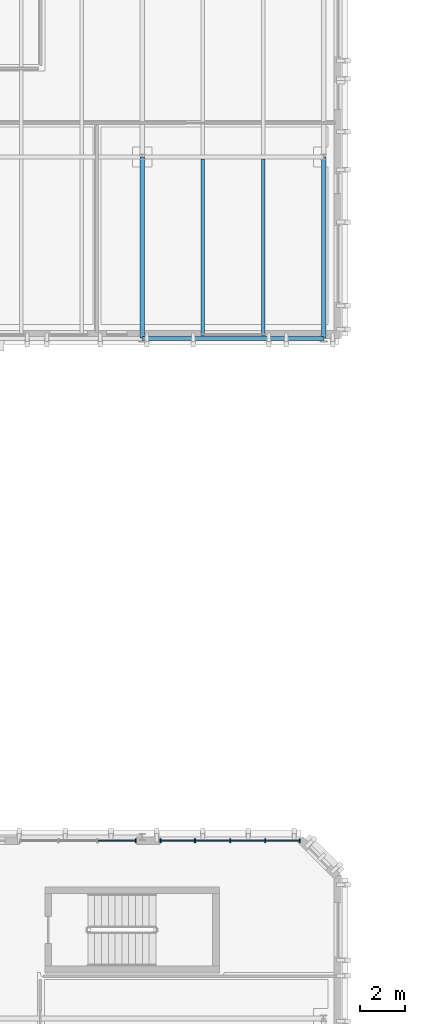
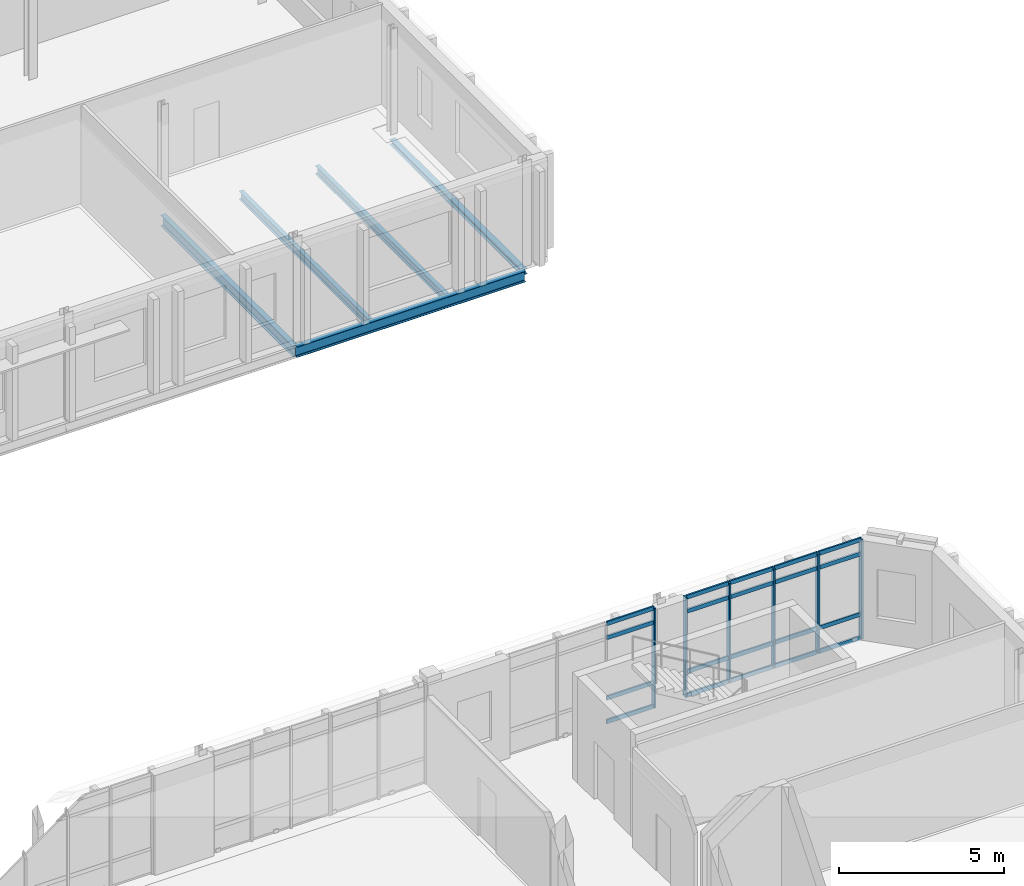
# One storey, part 13 of 40: 26 members, 5 beams, 2 elements without a shape of their own.
"""IFC4 building model written with IfcOpenShell, lengths in metres."""

from ifc_helpers import new_model, si_unit, direction, frame, origin, origin_2d, place, context, subcontext, project, spatial, rectangle, i_section, extrude, material, material_profile, profile_set, type_object, element, aggregate, save


model = new_model("IFC4")

# Units and contexts
model_context = context("Model", 3, precision=1e-05, world=origin(), true_north=direction((0.0, 1.0)))
body_context = subcontext(model_context, "Body", "Model", "MODEL_VIEW")
ifc_project = project(units=[si_unit("LENGTHUNIT", "METRE"), si_unit("AREAUNIT", "SQUARE_METRE"), si_unit("VOLUMEUNIT", "CUBIC_METRE"), si_unit("PLANEANGLEUNIT", "RADIAN"), si_unit("MASSUNIT", "GRAM", prefix="KILO")], contexts=[model_context])

# Site, building, storey
site_placement = place(None, origin())
site = spatial("IfcSite", under=ifc_project, at=site_placement, CompositionType="ELEMENT")
building_placement = place(site_placement, origin())
building = spatial("IfcBuilding", under=site, at=building_placement, Name="Cymarion Research Institute", CompositionType="ELEMENT")
storey_placement = place(building_placement, frame((0.0, 0.0, 26.699951171875)))
storey = spatial("IfcBuildingStorey", under=building, at=storey_placement, Name="L06", CompositionType="ELEMENT", Elevation=26.699951171875)

# Curtain wall, members
ifc_material_1 = material(Name="Anodised aluminium unitised curtain wall with Low-E glazing", Category="aluminium")
curtain_wall_type_1 = type_object("IfcCurtainWallType", Name="UNITISED CURTAIN WALL CW57 6200X3680", PredefinedType="NOTDEFINED", material=ifc_material_1)
curtain_wall_1_placement = place(storey_placement, origin())
curtain_wall_1 = element("IfcCurtainWall", 1, at=curtain_wall_1_placement, inside=storey, type_object=curtain_wall_type_1, Name="L06 V4 unitised curtain wall CW57 #217", PredefinedType="NOTDEFINED")
ifc_material_2 = material(Name="Anodised aluminium framing", Category="aluminium")
ifc_material_profile_1 = material_profile(ifc_material_2, rectangle(XDim=0.06005859375, YDim=0.179931640625, at=origin_2d()), Name="ALU MULLION 60x180")
ifc_profile_set_1 = profile_set([ifc_material_profile_1], Name="Anodised aluminium framing")
member_type_1 = type_object("IfcMemberType", Name="CURTAIN WALL MULLION ML01 60X180", PredefinedType="MULLION", material=ifc_profile_set_1)
member_1_placement = place(storey_placement, frame((45.547119140625, 71.330078125, 0.0), z_axis=(0.0, 0.0, 1.0), x_axis=(-1.0, 0.0, 0.0)))
member_1 = element("IfcMember", 2, at=member_1_placement, type_object=member_type_1, Name="CW57 mullion 1", PredefinedType="MULLION", context=body_context, shape_type="SweptSolid", body=[
    extrude(rectangle(XDim=0.06005859375, YDim=0.179931640625, at=origin_2d()), origin(), (0.0, 0.0, 1.0), 3.679931640625),
])
member_2_placement = place(storey_placement, frame((44.0283203125, 71.330078125, 0.0), z_axis=(0.0, 0.0, 1.0), x_axis=(-1.0, 0.0, 0.0)))
member_2 = element("IfcMember", 3, at=member_2_placement, type_object=member_type_1, Name="CW57 mullion 2", PredefinedType="MULLION", context=body_context, shape_type="SweptSolid", body=[
    extrude(rectangle(XDim=0.06005859375, YDim=0.179931640625, at=origin_2d()), origin(), (0.0, 0.0, 1.0), 3.679931640625),
])
member_3_placement = place(storey_placement, frame((42.4794921875, 71.330078125, 0.0), z_axis=(0.0, 0.0, 1.0), x_axis=(-1.0, 0.0, 0.0)))
member_3 = element("IfcMember", 4, at=member_3_placement, type_object=member_type_1, Name="CW57 mullion 3", PredefinedType="MULLION", context=body_context, shape_type="SweptSolid", body=[
    extrude(rectangle(XDim=0.06005859375, YDim=0.179931640625, at=origin_2d()), origin(), (0.0, 0.0, 1.0), 3.679931640625),
])
member_4_placement = place(storey_placement, frame((40.9306640625, 71.330078125, 0.0), z_axis=(0.0, 0.0, 1.0), x_axis=(-1.0, 0.0, 0.0)))
member_4 = element("IfcMember", 5, at=member_4_placement, type_object=member_type_1, Name="CW57 mullion 4", PredefinedType="MULLION", context=body_context, shape_type="SweptSolid", body=[
    extrude(rectangle(XDim=0.06005859375, YDim=0.179931640625, at=origin_2d()), origin(), (0.0, 0.0, 1.0), 3.679931640625),
])
member_5_placement = place(storey_placement, frame((39.41162109375, 71.330078125, 0.0), z_axis=(0.0, 0.0, 1.0), x_axis=(-1.0, 0.0, 0.0)))
member_5 = element("IfcMember", 6, at=member_5_placement, type_object=member_type_1, Name="CW57 mullion 5", PredefinedType="MULLION", context=body_context, shape_type="SweptSolid", body=[
    extrude(rectangle(XDim=0.06005859375, YDim=0.179931640625, at=origin_2d()), origin(), (0.0, 0.0, 1.0), 3.679931640625),
])

# Curtain wall, member
curtain_wall_type_2 = type_object("IfcCurtainWallType", Name="UNITISED CURTAIN WALL CW58 5150X3680", PredefinedType="NOTDEFINED", material=ifc_material_1)
curtain_wall_2_placement = place(storey_placement, origin())
curtain_wall_2 = element("IfcCurtainWall", 7, at=curtain_wall_2_placement, inside=storey, type_object=curtain_wall_type_2, Name="L06 V4 unitised curtain wall CW58 #218", PredefinedType="NOTDEFINED")
member_6_placement = place(storey_placement, frame((38.31005859375, 71.330078125, 0.0), z_axis=(0.0, 0.0, 1.0), x_axis=(-1.0, 0.0, 0.0)))
member_6 = element("IfcMember", 8, at=member_6_placement, type_object=member_type_1, Name="CW58 mullion 1", PredefinedType="MULLION", context=body_context, shape_type="SweptSolid", body=[
    extrude(rectangle(XDim=0.06005859375, YDim=0.179931640625, at=origin_2d()), origin(), (0.0, 0.0, 1.0), 3.679931640625),
])

# Member
ifc_material_profile_2 = material_profile(ifc_material_2, rectangle(XDim=0.06005859375, YDim=0.14990234375, at=origin_2d()), Name="ALU TRANSOM 60x150")
ifc_profile_set_2 = profile_set([ifc_material_profile_2], Name="Anodised aluminium framing")
member_type_2 = type_object("IfcMemberType", Name="CURTAIN WALL TRANSOM TR01 60X150", PredefinedType="USERDEFINED", material=ifc_profile_set_2)
member_7_placement = place(storey_placement, frame((45.51708984375, 71.330078125, 0.030029296875), z_axis=(-1.0, 0.0, 0.0), x_axis=(0.0, -1.0, 0.0)))
member_7 = element("IfcMember", 9, at=member_7_placement, type_object=member_type_2, Name="CW57 transom 1.1", ObjectType="TRANSOM", PredefinedType="USERDEFINED", context=body_context, shape_type="SweptSolid", body=[
    extrude(rectangle(XDim=0.06005859375, YDim=0.14990234375, at=origin_2d()), origin(), (0.0, 0.0, 1.0), 1.458740234375),
])

member_8_placement = place(storey_placement, frame((45.51708984375, 71.330078125, 0.900146484375), z_axis=(-1.0, 0.0, 0.0), x_axis=(0.0, -1.0, 0.0)))
member_8 = element("IfcMember", 10, at=member_8_placement, type_object=member_type_2, Name="CW57 transom 1.2", ObjectType="TRANSOM", PredefinedType="USERDEFINED", context=body_context, shape_type="SweptSolid", body=[
    extrude(rectangle(XDim=0.06005859375, YDim=0.14990234375, at=origin_2d()), origin(), (0.0, 0.0, 1.0), 1.458740234375),
])

member_9_placement = place(storey_placement, frame((45.51708984375, 71.330078125, 3.130126953125), z_axis=(-1.0, 0.0, 0.0), x_axis=(0.0, -1.0, 0.0)))
member_9 = element("IfcMember", 11, at=member_9_placement, type_object=member_type_2, Name="CW57 transom 1.3", ObjectType="TRANSOM", PredefinedType="USERDEFINED", context=body_context, shape_type="SweptSolid", body=[
    extrude(rectangle(XDim=0.06005859375, YDim=0.14990234375, at=origin_2d()), origin(), (0.0, 0.0, 1.0), 1.458740234375),
])

member_10_placement = place(storey_placement, frame((45.51708984375, 71.330078125, 3.650146484375), z_axis=(-1.0, 0.0, 0.0), x_axis=(0.0, -1.0, 0.0)))
member_10 = element("IfcMember", 12, at=member_10_placement, type_object=member_type_2, Name="CW57 transom 1.4", ObjectType="TRANSOM", PredefinedType="USERDEFINED", context=body_context, shape_type="SweptSolid", body=[
    extrude(rectangle(XDim=0.06005859375, YDim=0.14990234375, at=origin_2d()), origin(), (0.0, 0.0, 1.0), 1.458740234375),
])

member_11_placement = place(storey_placement, frame((43.998291015625, 71.330078125, 0.030029296875), z_axis=(-1.0, 0.0, 0.0), x_axis=(0.0, -1.0, 0.0)))
member_11 = element("IfcMember", 13, at=member_11_placement, type_object=member_type_2, Name="CW57 transom 2.1", ObjectType="TRANSOM", PredefinedType="USERDEFINED", context=body_context, shape_type="SweptSolid", body=[
    extrude(rectangle(XDim=0.06005859375, YDim=0.14990234375, at=origin_2d()), origin(), (0.0, 0.0, 1.0), 1.48876953125),
])

member_12_placement = place(storey_placement, frame((43.998291015625, 71.330078125, 0.900146484375), z_axis=(-1.0, 0.0, 0.0), x_axis=(0.0, -1.0, 0.0)))
member_12 = element("IfcMember", 14, at=member_12_placement, type_object=member_type_2, Name="CW57 transom 2.2", ObjectType="TRANSOM", PredefinedType="USERDEFINED", context=body_context, shape_type="SweptSolid", body=[
    extrude(rectangle(XDim=0.06005859375, YDim=0.14990234375, at=origin_2d()), origin(), (0.0, 0.0, 1.0), 1.48876953125),
])

member_13_placement = place(storey_placement, frame((43.998291015625, 71.330078125, 3.130126953125), z_axis=(-1.0, 0.0, 0.0), x_axis=(0.0, -1.0, 0.0)))
member_13 = element("IfcMember", 15, at=member_13_placement, type_object=member_type_2, Name="CW57 transom 2.3", ObjectType="TRANSOM", PredefinedType="USERDEFINED", context=body_context, shape_type="SweptSolid", body=[
    extrude(rectangle(XDim=0.06005859375, YDim=0.14990234375, at=origin_2d()), origin(), (0.0, 0.0, 1.0), 1.48876953125),
])

member_14_placement = place(storey_placement, frame((43.998291015625, 71.330078125, 3.650146484375), z_axis=(-1.0, 0.0, 0.0), x_axis=(0.0, -1.0, 0.0)))
member_14 = element("IfcMember", 16, at=member_14_placement, type_object=member_type_2, Name="CW57 transom 2.4", ObjectType="TRANSOM", PredefinedType="USERDEFINED", context=body_context, shape_type="SweptSolid", body=[
    extrude(rectangle(XDim=0.06005859375, YDim=0.14990234375, at=origin_2d()), origin(), (0.0, 0.0, 1.0), 1.48876953125),
])

member_15_placement = place(storey_placement, frame((42.449462890625, 71.330078125, 0.030029296875), z_axis=(-1.0, 0.0, 0.0), x_axis=(0.0, -1.0, 0.0)))
member_15 = element("IfcMember", 17, at=member_15_placement, type_object=member_type_2, Name="CW57 transom 3.1", ObjectType="TRANSOM", PredefinedType="USERDEFINED", context=body_context, shape_type="SweptSolid", body=[
    extrude(rectangle(XDim=0.06005859375, YDim=0.14990234375, at=origin_2d()), origin(), (0.0, 0.0, 1.0), 1.48876953125),
])

member_16_placement = place(storey_placement, frame((42.449462890625, 71.330078125, 0.900146484375), z_axis=(-1.0, 0.0, 0.0), x_axis=(0.0, -1.0, 0.0)))
member_16 = element("IfcMember", 18, at=member_16_placement, type_object=member_type_2, Name="CW57 transom 3.2", ObjectType="TRANSOM", PredefinedType="USERDEFINED", context=body_context, shape_type="SweptSolid", body=[
    extrude(rectangle(XDim=0.06005859375, YDim=0.14990234375, at=origin_2d()), origin(), (0.0, 0.0, 1.0), 1.48876953125),
])

member_17_placement = place(storey_placement, frame((42.449462890625, 71.330078125, 3.130126953125), z_axis=(-1.0, 0.0, 0.0), x_axis=(0.0, -1.0, 0.0)))
member_17 = element("IfcMember", 19, at=member_17_placement, type_object=member_type_2, Name="CW57 transom 3.3", ObjectType="TRANSOM", PredefinedType="USERDEFINED", context=body_context, shape_type="SweptSolid", body=[
    extrude(rectangle(XDim=0.06005859375, YDim=0.14990234375, at=origin_2d()), origin(), (0.0, 0.0, 1.0), 1.48876953125),
])

member_18_placement = place(storey_placement, frame((42.449462890625, 71.330078125, 3.650146484375), z_axis=(-1.0, 0.0, 0.0), x_axis=(0.0, -1.0, 0.0)))
member_18 = element("IfcMember", 20, at=member_18_placement, type_object=member_type_2, Name="CW57 transom 3.4", ObjectType="TRANSOM", PredefinedType="USERDEFINED", context=body_context, shape_type="SweptSolid", body=[
    extrude(rectangle(XDim=0.06005859375, YDim=0.14990234375, at=origin_2d()), origin(), (0.0, 0.0, 1.0), 1.48876953125),
])

member_19_placement = place(storey_placement, frame((40.900634765625, 71.330078125, 0.030029296875), z_axis=(-1.0, 0.0, 0.0), x_axis=(0.0, -1.0, 0.0)))
member_19 = element("IfcMember", 21, at=member_19_placement, type_object=member_type_2, Name="CW57 transom 4.1", ObjectType="TRANSOM", PredefinedType="USERDEFINED", context=body_context, shape_type="SweptSolid", body=[
    extrude(rectangle(XDim=0.06005859375, YDim=0.14990234375, at=origin_2d()), origin(), (0.0, 0.0, 1.0), 1.458984375),
])

member_20_placement = place(storey_placement, frame((40.900634765625, 71.330078125, 0.900146484375), z_axis=(-1.0, 0.0, 0.0), x_axis=(0.0, -1.0, 0.0)))
member_20 = element("IfcMember", 22, at=member_20_placement, type_object=member_type_2, Name="CW57 transom 4.2", ObjectType="TRANSOM", PredefinedType="USERDEFINED", context=body_context, shape_type="SweptSolid", body=[
    extrude(rectangle(XDim=0.06005859375, YDim=0.14990234375, at=origin_2d()), origin(), (0.0, 0.0, 1.0), 1.458984375),
])

member_21_placement = place(storey_placement, frame((40.900634765625, 71.330078125, 3.130126953125), z_axis=(-1.0, 0.0, 0.0), x_axis=(0.0, -1.0, 0.0)))
member_21 = element("IfcMember", 23, at=member_21_placement, type_object=member_type_2, Name="CW57 transom 4.3", ObjectType="TRANSOM", PredefinedType="USERDEFINED", context=body_context, shape_type="SweptSolid", body=[
    extrude(rectangle(XDim=0.06005859375, YDim=0.14990234375, at=origin_2d()), origin(), (0.0, 0.0, 1.0), 1.458984375),
])

member_22_placement = place(storey_placement, frame((40.900634765625, 71.330078125, 3.650146484375), z_axis=(-1.0, 0.0, 0.0), x_axis=(0.0, -1.0, 0.0)))
member_22 = element("IfcMember", 24, at=member_22_placement, type_object=member_type_2, Name="CW57 transom 4.4", ObjectType="TRANSOM", PredefinedType="USERDEFINED", context=body_context, shape_type="SweptSolid", body=[
    extrude(rectangle(XDim=0.06005859375, YDim=0.14990234375, at=origin_2d()), origin(), (0.0, 0.0, 1.0), 1.458984375),
])

aggregate(curtain_wall_1, [member_1, member_2, member_3, member_4, member_5, member_7, member_8, member_9, member_10, member_11, member_12, member_13, member_14, member_15, member_16, member_17, member_18, member_19, member_20, member_21, member_22])

member_23_placement = place(storey_placement, frame((38.280029296875, 71.330078125, 0.030029296875), z_axis=(-1.0, 0.0, 0.0), x_axis=(0.0, -1.0, 0.0)))
member_23 = element("IfcMember", 25, at=member_23_placement, type_object=member_type_2, Name="CW58 transom 1.1", ObjectType="TRANSOM", PredefinedType="USERDEFINED", context=body_context, shape_type="SweptSolid", body=[
    extrude(rectangle(XDim=0.06005859375, YDim=0.14990234375, at=origin_2d()), origin(), (0.0, 0.0, 1.0), 1.6279296875),
])

member_24_placement = place(storey_placement, frame((38.280029296875, 71.330078125, 0.900146484375), z_axis=(-1.0, 0.0, 0.0), x_axis=(0.0, -1.0, 0.0)))
member_24 = element("IfcMember", 26, at=member_24_placement, type_object=member_type_2, Name="CW58 transom 1.2", ObjectType="TRANSOM", PredefinedType="USERDEFINED", context=body_context, shape_type="SweptSolid", body=[
    extrude(rectangle(XDim=0.06005859375, YDim=0.14990234375, at=origin_2d()), origin(), (0.0, 0.0, 1.0), 1.6279296875),
])

member_25_placement = place(storey_placement, frame((38.280029296875, 71.330078125, 3.130126953125), z_axis=(-1.0, 0.0, 0.0), x_axis=(0.0, -1.0, 0.0)))
member_25 = element("IfcMember", 27, at=member_25_placement, type_object=member_type_2, Name="CW58 transom 1.3", ObjectType="TRANSOM", PredefinedType="USERDEFINED", context=body_context, shape_type="SweptSolid", body=[
    extrude(rectangle(XDim=0.06005859375, YDim=0.14990234375, at=origin_2d()), origin(), (0.0, 0.0, 1.0), 1.6279296875),
])

member_26_placement = place(storey_placement, frame((38.280029296875, 71.330078125, 3.650146484375), z_axis=(-1.0, 0.0, 0.0), x_axis=(0.0, -1.0, 0.0)))
member_26 = element("IfcMember", 28, at=member_26_placement, type_object=member_type_2, Name="CW58 transom 1.4", ObjectType="TRANSOM", PredefinedType="USERDEFINED", context=body_context, shape_type="SweptSolid", body=[
    extrude(rectangle(XDim=0.06005859375, YDim=0.14990234375, at=origin_2d()), origin(), (0.0, 0.0, 1.0), 1.6279296875),
])

aggregate(curtain_wall_2, [member_6, member_23, member_24, member_25, member_26])

# Beams
ifc_material_3 = material(Name="Steel S355", Category="steel")
ifc_material_profile_3 = material_profile(ifc_material_3, i_section(OverallWidth=0.179931640625, OverallDepth=0.39990234375, WebThickness=0.008544921875, FlangeThickness=0.013427734375, FilletRadius=0.02099609375, at=origin_2d()), Name="IPE 400")
ifc_profile_set_3 = profile_set([ifc_material_profile_3], Name="Steel S355")
beam_type_1 = type_object("IfcBeamType", Name="PRIMARY GIRDER BM05 IPE 400", PredefinedType="BEAM", material=ifc_profile_set_3)
beam_1_placement = place(storey_placement, frame((38.60595703125, 93.5, -0.419921875), z_axis=(1.0, 0.0, 0.0), x_axis=(0.0, 1.0, 0.0)))
element("IfcBeam", 29, at=beam_1_placement, inside=storey, type_object=beam_type_1, Name="L06 V5 girder BM05 #2140", PredefinedType="BEAM", context=body_context, shape_type="SweptSolid", body=[
    extrude(i_section(OverallWidth=0.179931640625, OverallDepth=0.39990234375, WebThickness=0.008544921875, FlangeThickness=0.013427734375, FilletRadius=0.02099609375, at=origin_2d()), origin(), (0.0, 0.0, 1.0), 7.988037109375),
])
beam_2_placement = place(storey_placement, frame((38.60009765625, 93.506103515625, -0.419921875), z_axis=(0.0, 1.0, 0.0), x_axis=(-1.0, 0.0, 0.0)))
element("IfcBeam", 30, at=beam_2_placement, inside=storey, type_object=beam_type_1, Name="L06 V5 girder BM05 #2164", PredefinedType="BEAM", context=body_context, shape_type="SweptSolid", body=[
    extrude(i_section(OverallWidth=0.179931640625, OverallDepth=0.39990234375, WebThickness=0.008544921875, FlangeThickness=0.013427734375, FilletRadius=0.02099609375, at=origin_2d()), origin(), (0.0, 0.0, 1.0), 7.98779296875),
])
ifc_material_profile_4 = material_profile(ifc_material_3, i_section(OverallWidth=0.14990234375, OverallDepth=0.300048828125, WebThickness=0.007080078125, FlangeThickness=0.0107421875, FilletRadius=0.014892578125, at=origin_2d()), Name="IPE 300")
ifc_profile_set_4 = profile_set([ifc_material_profile_4], Name="Steel S355")
beam_type_2 = type_object("IfcBeamType", Name="SECONDARY JOIST JS02 IPE 300", PredefinedType="JOIST", material=ifc_profile_set_4)
for number, where, z_axis, x_axis, name in (
    (31, (41.2666015625, 93.593994140625, -0.369873046875), (0.0, 1.0, 0.0), (-1.0, 0.0, 0.0), "L06 V5 secondary joist JS02 #2173"),
    (32, (43.933349609375, 93.593994140625, -0.369873046875), (0.0, 1.0, 0.0), (-1.0, 0.0, 0.0), "L06 V5 secondary joist JS02 #2174"),
):
    element("IfcBeam", number, at=place(storey_placement, frame(where, z_axis=z_axis, x_axis=x_axis)), inside=storey, type_object=beam_type_2, Name=name, PredefinedType="JOIST", context=body_context, shape_type="SweptSolid", body=[
        extrude(i_section(OverallWidth=0.14990234375, OverallDepth=0.300048828125, WebThickness=0.007080078125, FlangeThickness=0.0107421875, FilletRadius=0.014892578125, at=origin_2d()), origin(), (0.0, 0.0, 1.0), 7.81201171875),
    ])
ifc_material_profile_5 = material_profile(ifc_material_3, i_section(OverallWidth=0.199951171875, OverallDepth=0.18994140625, WebThickness=0.006591796875, FlangeThickness=0.010009765625, FilletRadius=0.01806640625, at=origin_2d()), Name="HEA 200")
ifc_profile_set_5 = profile_set([ifc_material_profile_5], Name="Steel S355")
beam_type_3 = type_object("IfcBeamType", Name="SPANDREL BEAM SPB04 HEA 200", PredefinedType="SPANDREL", material=ifc_profile_set_5)
beam_3_placement = place(storey_placement, frame((46.60009765625, 93.506103515625, -0.31494140625), z_axis=(0.0, 1.0, 0.0), x_axis=(-1.0, 0.0, 0.0)))
element("IfcBeam", 33, at=beam_3_placement, inside=storey, type_object=beam_type_3, Name="L06 V5 girder SPB04 #2166", PredefinedType="SPANDREL", context=body_context, shape_type="SweptSolid", body=[
    extrude(i_section(OverallWidth=0.199951171875, OverallDepth=0.18994140625, WebThickness=0.006591796875, FlangeThickness=0.010009765625, FilletRadius=0.01806640625, at=origin_2d()), origin(), (0.0, 0.0, 1.0), 7.98779296875),
])

save(model, "model.ifc")
